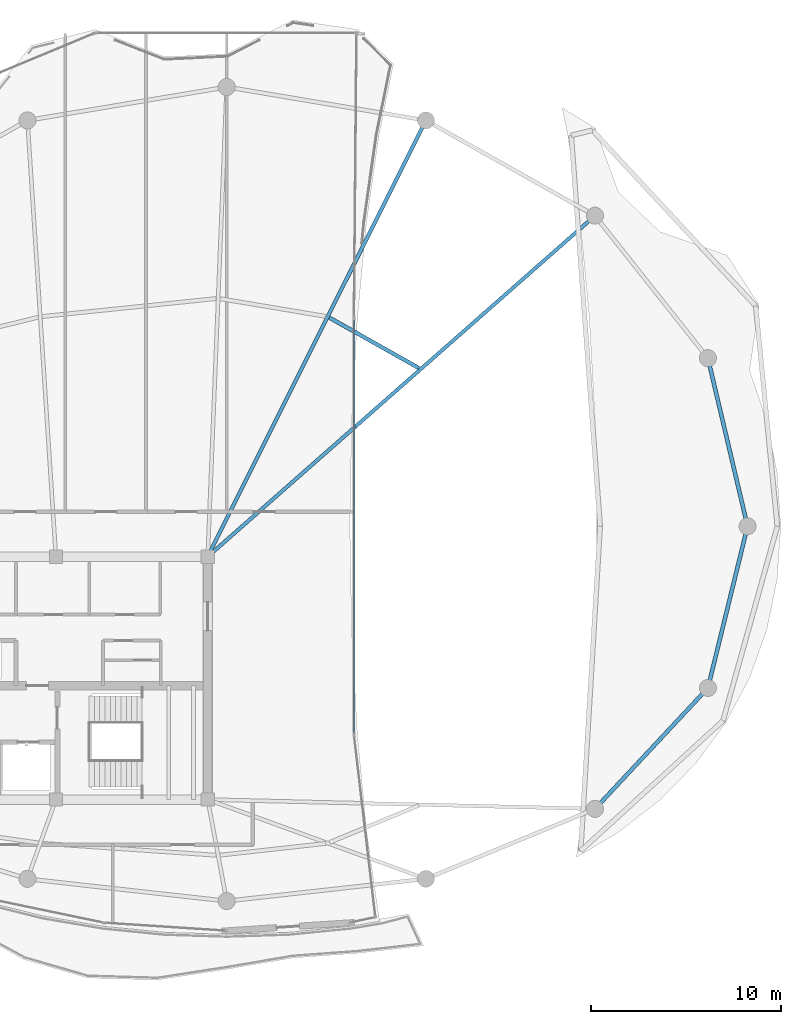
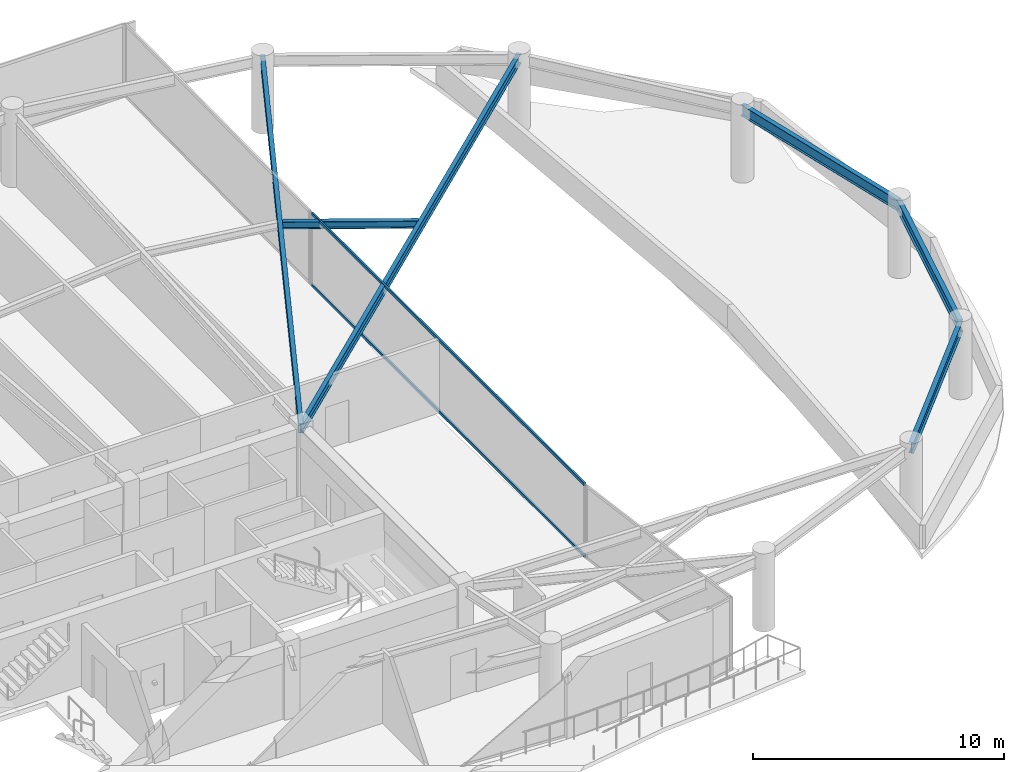
# One storey, part 13 of 23: 6 beams, 2 members, 1 element without a shape of its own.
"""IFC4 building model written with IfcOpenShell, lengths in metres."""

from ifc_helpers import new_model, si_unit, direction, frame, origin, origin_2d, place, context, subcontext, project, spatial, hollow_rectangle, i_section, extrude, material, layer, layer_set, material_profile, profile_set, type_object, element, aggregate, save


model = new_model("IFC4")

# Units and contexts
model_context = context("Model", 3, precision=1e-05, world=origin(), true_north=direction((0.0, 1.0)))
body_context = subcontext(model_context, "Body", "Model", "MODEL_VIEW")
ifc_project = project(units=[si_unit("LENGTHUNIT", "METRE"), si_unit("AREAUNIT", "SQUARE_METRE"), si_unit("VOLUMEUNIT", "CUBIC_METRE"), si_unit("PLANEANGLEUNIT", "RADIAN"), si_unit("MASSUNIT", "GRAM", prefix="KILO")], contexts=[model_context])

# Site, building, storey
site_placement = place(None, origin())
site = spatial("IfcSite", under=ifc_project, at=site_placement, CompositionType="ELEMENT")
building_placement = place(site_placement, origin())
building = spatial("IfcBuilding", under=site, at=building_placement, Name="Kazevale Care Tower and Concert Hall", CompositionType="ELEMENT")
storey_placement = place(building_placement, frame((0.0, 0.0, 270.0)))
storey = spatial("IfcBuildingStorey", under=building, at=storey_placement, Name="L71", CompositionType="ELEMENT", Elevation=270.0)

# Curtain wall, members
ifc_material_1 = material(Name="Aluminium 6063-T6 and Low-E Glass", Category="aluminium")
ifc_layer = layer(ifc_material_1, 0.179931640625)
ifc_layer_set = layer_set([ifc_layer], Name="Aluminium 6063-T6 and Low-E Glass")
curtain_wall_type = type_object("IfcCurtainWallType", Name="Waist & Upper Residential Curtain Wall CW-4", PredefinedType="NOTDEFINED", material=ifc_layer_set)
curtain_wall_placement = place(storey_placement, origin())
curtain_wall = element("IfcCurtainWall", 1, at=curtain_wall_placement, inside=storey, type_object=curtain_wall_type, Name="cw:L71:f14", PredefinedType="NOTDEFINED")
ifc_material_2 = material(Name="Aluminium 6063-T6", Category="aluminium")
ifc_material_profile_1 = material_profile(ifc_material_2, hollow_rectangle(XDim=0.080078125, YDim=0.139892578125, WallThickness=0.00390625, at=origin_2d()), Name="ALU80x140x4")
ifc_profile_set_1 = profile_set([ifc_material_profile_1], Name="Aluminium 6063-T6")
member_type = type_object("IfcMemberType", Name="CW-4 Transom ALU80x140x4", PredefinedType="USERDEFINED", material=ifc_profile_set_1)
member_1_placement = place(storey_placement, frame((51.7119140625, 48.8779296875, 0.0400390625), z_axis=(0.0, -1.0, 0.0), x_axis=(1.0, 0.0, 0.0)))
member_1 = element("IfcMember", 2, at=member_1_placement, type_object=member_type, Name="CW-4 transom 1.1", ObjectType="TRANSOM", PredefinedType="USERDEFINED", context=body_context, shape_type="SweptSolid", body=[
    extrude(hollow_rectangle(XDim=0.080078125, YDim=0.139892578125, WallThickness=0.00390625, at=origin_2d()), origin(), (0.0, 0.0, 1.0), 21.755859375),
])
member_2_placement = place(storey_placement, frame((51.7119140625, 48.8779296875, 3.52001953125), z_axis=(0.0, -1.0, 0.0), x_axis=(1.0, 0.0, 0.0)))
member_2 = element("IfcMember", 3, at=member_2_placement, type_object=member_type, Name="CW-4 transom 1.2", ObjectType="TRANSOM", PredefinedType="USERDEFINED", context=body_context, shape_type="SweptSolid", body=[
    extrude(hollow_rectangle(XDim=0.080078125, YDim=0.139892578125, WallThickness=0.00390625, at=origin_2d()), origin(), (0.0, 0.0, 1.0), 21.755859375),
])
aggregate(curtain_wall, [member_1, member_2])

# Beams
ifc_material_3 = material(Name="Steel ASTM A572 Gr 50", Category="steel")
ifc_material_profile_2 = material_profile(ifc_material_3, i_section(OverallWidth=0.19091796875, OverallDepth=0.4599609375, WebThickness=0.010009765625, FlangeThickness=0.01611328125, at=origin_2d()), Name="W460x82")
ifc_profile_set_2 = profile_set([ifc_material_profile_2], Name="Steel ASTM A572 Gr 50")
beam_type_1 = type_object("IfcBeamType", Name="Radial Floor Beam W460x82", PredefinedType="BEAM", material=ifc_profile_set_2)
beam_1_placement = place(storey_placement, frame((44.0, 36.39990234375, 3.330078125), z_axis=(0.750540377871, 0.660824591844, 0.0), x_axis=(-0.660824591844, 0.750540377871, 0.0)))
element("IfcBeam", 4, at=beam_1_placement, inside=storey, type_object=beam_type_1, Name="beam:L71:rad:03", PredefinedType="BEAM", context=body_context, shape_type="SweptSolid", body=[
    extrude(i_section(OverallWidth=0.19091796875, OverallDepth=0.4599609375, WebThickness=0.010009765625, FlangeThickness=0.01611328125, at=origin_2d()), origin(), (0.0, 0.0, 1.0), 27.193603515625),
])
beam_2_placement = place(storey_placement, frame((44.0, 36.39990234375, 3.330078125), z_axis=(0.447369347408, 0.894349298093, 0.0), x_axis=(-0.894349298093, 0.447369347408, 0.0)))
element("IfcBeam", 5, at=beam_2_placement, inside=storey, type_object=beam_type_1, Name="beam:L71:rad:04", PredefinedType="BEAM", context=body_context, shape_type="SweptSolid", body=[
    extrude(i_section(OverallWidth=0.19091796875, OverallDepth=0.4599609375, WebThickness=0.010009765625, FlangeThickness=0.01611328125, at=origin_2d()), origin(), (0.0, 0.0, 1.0), 25.705810546875),
])
ifc_material_profile_3 = material_profile(ifc_material_3, i_section(OverallWidth=0.205078125, OverallDepth=0.35400390625, WebThickness=0.009521484375, FlangeThickness=0.016845703125, at=origin_2d()), Name="W360x79")
ifc_profile_set_3 = profile_set([ifc_material_profile_3], Name="Steel ASTM A572 Gr 50")
beam_type_2 = type_object("IfcBeamType", Name="Secondary Floor Joist W360x79", PredefinedType="JOIST", material=ifc_profile_set_3)
beam_3_placement = place(storey_placement, frame((55.134033203125, 46.3349609375, 3.383056640625), z_axis=(-0.871253873352, 0.490832647823, 0.0), x_axis=(-0.490832647823, -0.871253873352, 0.0)))
element("IfcBeam", 6, at=beam_3_placement, inside=storey, type_object=beam_type_2, Name="beam:L71:joist:03", PredefinedType="JOIST", context=body_context, shape_type="SweptSolid", body=[
    extrude(i_section(OverallWidth=0.205078125, OverallDepth=0.35400390625, WebThickness=0.009521484375, FlangeThickness=0.016845703125, at=origin_2d()), origin(), (0.0, 0.0, 1.0), 5.415283203125),
])
ifc_material_profile_4 = material_profile(ifc_material_3, i_section(OverallWidth=0.208984375, OverallDepth=0.532958984375, WebThickness=0.01025390625, FlangeThickness=0.015625, at=origin_2d()), Name="W530x92")
ifc_profile_set_4 = profile_set([ifc_material_profile_4], Name="Steel ASTM A572 Gr 50")
beam_type_3 = type_object("IfcBeamType", Name="Upper Ring Beam W530x92", PredefinedType="BEAM", material=ifc_profile_set_4)
beam_4_placement = place(storey_placement, frame((72.449951171875, 38.0, 3.29345703125), z_axis=(-0.229571460706, 0.973291808467, 0.0), x_axis=(-0.973291808467, -0.229571460706, 0.0)))
element("IfcBeam", 7, at=beam_4_placement, inside=storey, type_object=beam_type_3, Name="beam:L71:ring:01", PredefinedType="BEAM", context=body_context, shape_type="SweptSolid", body=[
    extrude(i_section(OverallWidth=0.208984375, OverallDepth=0.532958984375, WebThickness=0.01025390625, FlangeThickness=0.015625, at=origin_2d()), origin(), (0.0, 0.0, 1.0), 9.103271484375),
])
beam_5_placement = place(storey_placement, frame((64.409912109375, 23.110107421875, 3.29345703125), z_axis=(0.682623556843, 0.730770196192, 0.0), x_axis=(-0.730770196192, 0.682623556843, 0.0)))
element("IfcBeam", 8, at=beam_5_placement, inside=storey, type_object=beam_type_3, Name="beam:L71:ring:15", PredefinedType="BEAM", context=body_context, shape_type="SweptSolid", body=[
    extrude(i_section(OverallWidth=0.208984375, OverallDepth=0.532958984375, WebThickness=0.01025390625, FlangeThickness=0.015625, at=origin_2d()), origin(), (0.0, 0.0, 1.0), 8.716552734375),
])
beam_6_placement = place(storey_placement, frame((70.360107421875, 29.47998046875, 3.29345703125), z_axis=(0.238224499566, 0.971210115169, 0.0), x_axis=(-0.971210115169, 0.238224499566, 0.0)))
element("IfcBeam", 9, at=beam_6_placement, inside=storey, type_object=beam_type_3, Name="beam:L71:ring:16", PredefinedType="BEAM", context=body_context, shape_type="SweptSolid", body=[
    extrude(i_section(OverallWidth=0.208984375, OverallDepth=0.532958984375, WebThickness=0.01025390625, FlangeThickness=0.015625, at=origin_2d()), origin(), (0.0, 0.0, 1.0), 8.7724609375),
])

save(model, "model.ifc")
